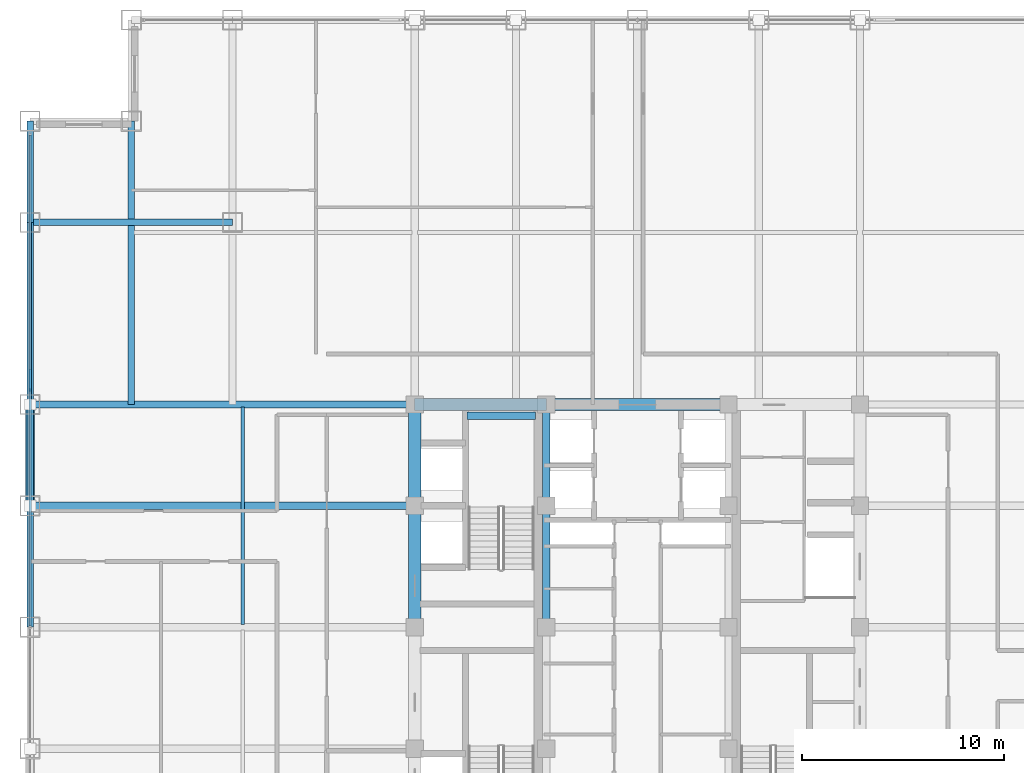
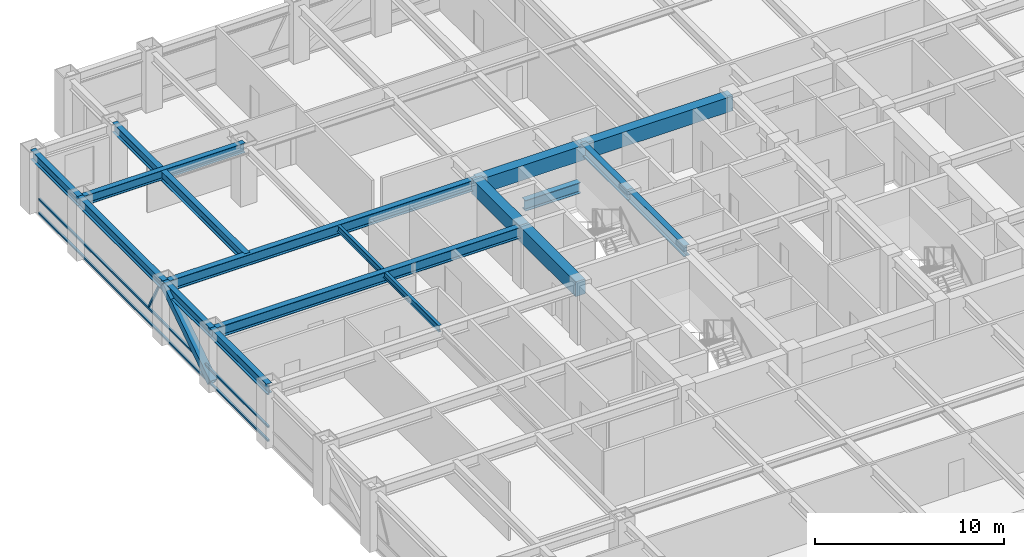
# One storey, part 11 of 24: 16 beams, 5 members, 1 element without a shape of its own.
"""IFC4 building model written with IfcOpenShell, lengths in metres."""

from ifc_helpers import new_model, si_unit, direction, frame, origin, origin_2d, place, context, subcontext, project, spatial, rectangle, hollow_rectangle, i_section, extrude, source, transform, mapped, material, material_profile, profile_set, type_object, element, aggregate, save


model = new_model("IFC4")

# Units and contexts
model_context = context("Model", 3, precision=1e-05, world=origin(), true_north=direction((0.0, 1.0)))
body_context = subcontext(model_context, "Body", "Model", "MODEL_VIEW")
ifc_project = project(units=[si_unit("LENGTHUNIT", "METRE"), si_unit("AREAUNIT", "SQUARE_METRE"), si_unit("VOLUMEUNIT", "CUBIC_METRE"), si_unit("PLANEANGLEUNIT", "RADIAN"), si_unit("MASSUNIT", "GRAM", prefix="KILO")], contexts=[model_context])

# Site, building, storey
site_placement = place(None, origin())
site = spatial("IfcSite", under=ifc_project, at=site_placement, CompositionType="ELEMENT")
building_placement = place(site_placement, origin())
building = spatial("IfcBuilding", under=site, at=building_placement, Name="Khorayat Bourse Tower", CompositionType="ELEMENT")
storey_placement = place(building_placement, frame((0.0, 0.0, 259.10009765625)))
storey = spatial("IfcBuildingStorey", under=building, at=storey_placement, Name="L61", CompositionType="ELEMENT", Elevation=259.10009765625)

# Beams
ifc_material_1 = material(Name="Steel ASTM A992 Grade 50", Category="steel")
ifc_material_profile_1 = material_profile(ifc_material_1, i_section(OverallWidth=0.35498046875, OverallDepth=0.695068359375, WebThickness=0.015380859375, FlangeThickness=0.02490234375, FilletRadius=0.01806640625, at=origin_2d()), Name="W690X217")
ifc_profile_set_1 = profile_set([ifc_material_profile_1], Name="Steel ASTM A992 Grade 50")
beam_type_1 = type_object("IfcBeamType", Name="BM-GIRD-690", PredefinedType="BEAM", material=ifc_profile_set_1)
shared_shape_1 = source(origin(), body_context, "Body", "SweptSolid", [
    extrude(i_section(OverallWidth=0.35498046875, OverallDepth=0.695068359375, WebThickness=0.015380859375, FlangeThickness=0.02490234375, FilletRadius=0.01806640625, at=origin_2d()), origin(), (0.0, 0.0, 1.0), 5.0),
])
beam_1_placement = place(storey_placement, frame((-4.5, 6.0, 3.432373046875), z_axis=(0.0, 1.0, 0.0), x_axis=(-1.0, 0.0, 0.0)))
element("IfcBeam", 1, at=beam_1_placement, inside=storey, type_object=beam_type_1, Name="L61 BM-GIRD-690 BM-L61-CRX-08", PredefinedType="BEAM", context=body_context, shape_type="MappedRepresentation", body=[
    mapped(shared_shape_1, transform((0.0, 0.0, 0.0), scale=1.0)),
])
shared_shape_2 = source(origin(), body_context, "Body", "SweptSolid", [
    extrude(i_section(OverallWidth=0.35498046875, OverallDepth=0.695068359375, WebThickness=0.015380859375, FlangeThickness=0.02490234375, FilletRadius=0.01806640625, at=origin_2d()), origin(), (0.0, 0.0, 1.0), 6.0),
])
beam_2_placement = place(storey_placement, frame((-4.5, 0.0, 3.432373046875), z_axis=(0.0, 1.0, 0.0), x_axis=(-1.0, 0.0, 0.0)))
element("IfcBeam", 2, at=beam_2_placement, inside=storey, type_object=beam_type_1, Name="L61 BM-GIRD-690 BM-L61-CRX-07", PredefinedType="BEAM", context=body_context, shape_type="MappedRepresentation", body=[
    mapped(shared_shape_2, transform((0.0, 0.0, 0.0), scale=1.0)),
])
shared_shape_3 = source(origin(), body_context, "Body", "SweptSolid", [
    extrude(i_section(OverallWidth=0.35498046875, OverallDepth=0.695068359375, WebThickness=0.015380859375, FlangeThickness=0.02490234375, FilletRadius=0.01806640625, at=origin_2d()), origin(), (0.0, 0.0, 1.0), 3.39990234375),
])
beam_3_placement = place(storey_placement, frame((-8.419921875, 10.449951171875, 1.452392578125), z_axis=(1.0, 0.0, 0.0), x_axis=(0.0, 1.0, 0.0)))
element("IfcBeam", 3, at=beam_3_placement, inside=storey, type_object=beam_type_1, Name="L61 BM-GIRD-690 BM-L61-ST2L", PredefinedType="BEAM", context=body_context, shape_type="MappedRepresentation", body=[
    mapped(shared_shape_3, transform((0.0, 0.0, 0.0), scale=1.0)),
])
ifc_material_profile_2 = material_profile(ifc_material_1, i_section(OverallWidth=0.324951171875, OverallDepth=0.615966796875, WebThickness=0.013916015625, FlangeThickness=0.021484375, FilletRadius=0.01611328125, at=origin_2d()), Name="W610X174")
ifc_profile_set_2 = profile_set([ifc_material_profile_2], Name="Steel ASTM A992 Grade 50")
beam_type_2 = type_object("IfcBeamType", Name="BM-GIRD-610", PredefinedType="BEAM", material=ifc_profile_set_2)
shared_shape_4 = source(origin(), body_context, "Body", "SweptSolid", [
    extrude(i_section(OverallWidth=0.324951171875, OverallDepth=0.615966796875, WebThickness=0.013916015625, FlangeThickness=0.021484375, FilletRadius=0.01611328125, at=origin_2d()), origin(), (0.0, 0.0, 1.0), 10.0),
])
beam_4_placement = place(storey_placement, frame((-30.0, 20.0, 3.471923828125), z_axis=(1.0, 0.0, 0.0), x_axis=(0.0, 1.0, 0.0)))
element("IfcBeam", 4, at=beam_4_placement, inside=storey, type_object=beam_type_2, Name="L61 BM-GIRD-610 BM-L61-CNRX-095", PredefinedType="BEAM", context=body_context, shape_type="MappedRepresentation", body=[
    mapped(shared_shape_4, transform((0.0, 0.0, 0.0), scale=1.0)),
])
ifc_material_profile_3 = material_profile(ifc_material_1, i_section(OverallWidth=0.180908203125, OverallDepth=0.4169921875, WebThickness=0.010986328125, FlangeThickness=0.018310546875, FilletRadius=0.011962890625, at=origin_2d()), Name="W410X85")
ifc_profile_set_3 = profile_set([ifc_material_profile_3], Name="Steel ASTM A992 Grade 50")
beam_type_3 = type_object("IfcBeamType", Name="BM-JOIST-410", PredefinedType="JOIST", material=ifc_profile_set_3)
shared_shape_5 = source(origin(), body_context, "Body", "SweptSolid", [
    extrude(i_section(OverallWidth=0.180908203125, OverallDepth=0.4169921875, WebThickness=0.010986328125, FlangeThickness=0.018310546875, FilletRadius=0.011962890625, at=origin_2d()), origin(), (0.0, 0.0, 1.0), 10.740234375),
])
beam_5_placement = place(storey_placement, frame((-19.5, 0.1298828125, 3.5712890625), z_axis=(0.0, 1.0, 0.0), x_axis=(-1.0, 0.0, 0.0)))
element("IfcBeam", 5, at=beam_5_placement, inside=storey, type_object=beam_type_3, Name="L61 BM-JOIST-410 BM-L61-JSTY-103", PredefinedType="JOIST", context=body_context, shape_type="MappedRepresentation", body=[
    mapped(shared_shape_5, transform((0.0, 0.0, 0.0), scale=1.0)),
])
ifc_material_profile_4 = material_profile(ifc_material_1, i_section(OverallWidth=0.324951171875, OverallDepth=0.615966796875, WebThickness=0.013916015625, FlangeThickness=0.021484375, FilletRadius=0.01611328125, at=origin_2d()), Name="W610X174")
ifc_profile_set_4 = profile_set([ifc_material_profile_4], Name="Steel ASTM A992 Grade 50")
beam_type_4 = type_object("IfcBeamType", Name="BM-SPAN-610", PredefinedType="SPANDREL", material=ifc_profile_set_4)
shared_shape_6 = source(origin(), body_context, "Body", "SweptSolid", [
    extrude(i_section(OverallWidth=0.324951171875, OverallDepth=0.615966796875, WebThickness=0.013916015625, FlangeThickness=0.021484375, FilletRadius=0.01611328125, at=origin_2d()), origin(), (0.0, 0.0, 1.0), 9.0),
])
beam_6_placement = place(storey_placement, frame((-30.0, 11.0, 3.471923828125), z_axis=(0.0, 1.0, 0.0), x_axis=(-1.0, 0.0, 0.0)))
element("IfcBeam", 6, at=beam_6_placement, inside=storey, type_object=beam_type_4, Name="L61 BM-SPAN-610 BM-L61-SPN-055", PredefinedType="SPANDREL", context=body_context, shape_type="MappedRepresentation", body=[
    mapped(shared_shape_6, transform((0.0, 0.0, 0.0), scale=1.0)),
])
shared_shape_7 = source(origin(), body_context, "Body", "SweptSolid", [
    extrude(i_section(OverallWidth=0.324951171875, OverallDepth=0.615966796875, WebThickness=0.013916015625, FlangeThickness=0.021484375, FilletRadius=0.01611328125, at=origin_2d()), origin(), (0.0, 0.0, 1.0), 5.0),
])
for number, where, z_axis, x_axis, name in (
    (7, (-30.0, 20.0, 3.471923828125), (0.0, 1.0, 0.0), (-1.0, 0.0, 0.0), "L61 BM-SPAN-610 BM-L61-SPN-054"),
    (8, (-30.0, 6.0, 3.471923828125), (0.0, 1.0, 0.0), (-1.0, 0.0, 0.0), "L61 BM-SPAN-610 BM-L61-SPN-056"),
):
    element("IfcBeam", number, at=place(storey_placement, frame(where, z_axis=z_axis, x_axis=x_axis)), inside=storey, type_object=beam_type_4, Name=name, PredefinedType="SPANDREL", context=body_context, shape_type="MappedRepresentation", body=[
        mapped(shared_shape_7, transform((0.0, 0.0, 0.0), scale=1.0)),
    ])
shared_shape_8 = source(origin(), body_context, "Body", "SweptSolid", [
    extrude(i_section(OverallWidth=0.324951171875, OverallDepth=0.615966796875, WebThickness=0.013916015625, FlangeThickness=0.021484375, FilletRadius=0.01611328125, at=origin_2d()), origin(), (0.0, 0.0, 1.0), 6.0),
])
beam_7_placement = place(storey_placement, frame((-30.0, 0.0, 3.471923828125), z_axis=(0.0, 1.0, 0.0), x_axis=(-1.0, 0.0, 0.0)))
element("IfcBeam", 9, at=beam_7_placement, inside=storey, type_object=beam_type_4, Name="L61 BM-SPAN-610 BM-L61-SPN-057", PredefinedType="SPANDREL", context=body_context, shape_type="MappedRepresentation", body=[
    mapped(shared_shape_8, transform((0.0, 0.0, 0.0), scale=1.0)),
])
ifc_material_2 = material(Name="Concrete C60/75", Category="concrete")
ifc_material_profile_5 = material_profile(ifc_material_2, rectangle(XDim=0.60009765625, YDim=0.949951171875, at=origin_2d()), Name="RC 600x950")
ifc_profile_set_5 = profile_set([ifc_material_profile_5], Name="Concrete C60/75")
beam_type_5 = type_object("IfcBeamType", Name="BM-COUP-950", PredefinedType="BEAM", material=ifc_profile_set_5)
shared_shape_9 = source(origin(), body_context, "Body", "SweptSolid", [
    extrude(rectangle(XDim=0.60009765625, YDim=0.949951171875, at=origin_2d()), origin(), (0.0, 0.0, 1.0), 5.0),
])
beam_8_placement = place(storey_placement, frame((-11.0, 6.0, 3.304931640625), z_axis=(0.0, 1.0, 0.0), x_axis=(-1.0, 0.0, 0.0)))
element("IfcBeam", 10, at=beam_8_placement, inside=storey, type_object=beam_type_5, Name="L61 BM-COUP-950 BM-L61-CRX-04", PredefinedType="BEAM", context=body_context, shape_type="MappedRepresentation", body=[
    mapped(shared_shape_9, transform((0.0, 0.0, 0.0), scale=1.0)),
])
shared_shape_10 = source(origin(), body_context, "Body", "SweptSolid", [
    extrude(rectangle(XDim=0.60009765625, YDim=0.949951171875, at=origin_2d()), origin(), (0.0, 0.0, 1.0), 6.0),
])
beam_9_placement = place(storey_placement, frame((-11.0, 0.0, 3.304931640625), z_axis=(0.0, 1.0, 0.0), x_axis=(-1.0, 0.0, 0.0)))
element("IfcBeam", 11, at=beam_9_placement, inside=storey, type_object=beam_type_5, Name="L61 BM-COUP-950 BM-L61-CRX-03", PredefinedType="BEAM", context=body_context, shape_type="MappedRepresentation", body=[
    mapped(shared_shape_10, transform((0.0, 0.0, 0.0), scale=1.0)),
])
shared_shape_11 = source(origin(), body_context, "Body", "SweptSolid", [
    extrude(rectangle(XDim=0.60009765625, YDim=0.949951171875, at=origin_2d()), origin(), (0.0, 0.0, 1.0), 6.5),
])
beam_10_placement = place(storey_placement, frame((-11.0, 11.0, 3.304931640625), z_axis=(1.0, 0.0, 0.0), x_axis=(0.0, 1.0, 0.0)))
element("IfcBeam", 12, at=beam_10_placement, inside=storey, type_object=beam_type_5, Name="L61 BM-COUP-950 BM-L61-CRY-20", PredefinedType="BEAM", context=body_context, shape_type="MappedRepresentation", body=[
    mapped(shared_shape_11, transform((0.0, 0.0, 0.0), scale=1.0)),
])
shared_shape_12 = source(origin(), body_context, "Body", "SweptSolid", [
    extrude(rectangle(XDim=0.60009765625, YDim=0.949951171875, at=origin_2d()), origin(), (0.0, 0.0, 1.0), 9.0),
])
beam_11_placement = place(storey_placement, frame((-4.5, 11.0, 3.304931640625), z_axis=(1.0, 0.0, 0.0), x_axis=(0.0, 1.0, 0.0)))
element("IfcBeam", 13, at=beam_11_placement, inside=storey, type_object=beam_type_5, Name="L61 BM-COUP-950 BM-L61-CRY-21", PredefinedType="BEAM", context=body_context, shape_type="MappedRepresentation", body=[
    mapped(shared_shape_12, transform((0.0, 0.0, 0.0), scale=1.0)),
])
shared_shape_13 = source(origin(), body_context, "Body", "SweptSolid", [
    extrude(i_section(OverallWidth=0.35498046875, OverallDepth=0.695068359375, WebThickness=0.015380859375, FlangeThickness=0.02490234375, FilletRadius=0.01806640625, at=origin_2d()), origin(), (0.0, 0.0, 1.0), 19.0),
])
for number, where, z_axis, x_axis, name in (
    (14, (-30.0, 6.0, 3.432373046875), (1.0, 0.0, 0.0), (0.0, 1.0, 0.0), "L61 BM-GIRD-690 BM-L61-RADX-081"),
    (15, (-30.0, 11.0, 3.432373046875), (1.0, 0.0, 0.0), (0.0, 1.0, 0.0), "L61 BM-GIRD-690 BM-L61-RADX-083"),
):
    element("IfcBeam", number, at=place(storey_placement, frame(where, z_axis=z_axis, x_axis=x_axis)), inside=storey, type_object=beam_type_1, Name=name, PredefinedType="BEAM", context=body_context, shape_type="MappedRepresentation", body=[
        mapped(shared_shape_13, transform((0.0, 0.0, 0.0), scale=1.0)),
    ])
shared_shape_14 = source(origin(), body_context, "Body", "SweptSolid", [
    extrude(i_section(OverallWidth=0.324951171875, OverallDepth=0.615966796875, WebThickness=0.013916015625, FlangeThickness=0.021484375, FilletRadius=0.01611328125, at=origin_2d()), origin(), (0.0, 0.0, 1.0), 14.0),
])
beam_12_placement = place(storey_placement, frame((-25.0, 11.0, 3.471923828125), z_axis=(0.0, 1.0, 0.0), x_axis=(-1.0, 0.0, 0.0)))
element("IfcBeam", 16, at=beam_12_placement, inside=storey, type_object=beam_type_2, Name="L61 BM-GIRD-610 BM-L61-CNRY-089", PredefinedType="BEAM", context=body_context, shape_type="MappedRepresentation", body=[
    mapped(shared_shape_14, transform((0.0, 0.0, 0.0), scale=1.0)),
])

# Member
ifc_material_3 = material(Name="Steel EN 10025-4 S460M", Category="steel")
ifc_material_profile_6 = material_profile(ifc_material_3, hollow_rectangle(XDim=0.449951171875, YDim=0.449951171875, WallThickness=0.02490234375, at=origin_2d()), Name="HSS 450x450x25")
ifc_profile_set_6 = profile_set([ifc_material_profile_6], Name="Steel EN 10025-4 S460M")
member_type_1 = type_object("IfcMemberType", Name="MBR-TUBE-450", PredefinedType="BRACE", material=ifc_profile_set_6)
shared_shape_15 = source(origin(), body_context, "Body", "SweptSolid", [
    extrude(hollow_rectangle(XDim=0.449951171875, YDim=0.449951171875, WallThickness=0.02490234375, at=origin_2d()), origin(), (0.0, 0.0, 1.0), 5.979736328125),
])
member_1_placement = place(storey_placement, frame((-30.0, 6.0, 0.25), z_axis=(0.0, 0.836160261256, 0.548485202623), x_axis=(-1.0, 0.0, 0.0)))
element("IfcMember", 17, at=member_1_placement, inside=storey, type_object=member_type_1, Name="L61 Perimeter Tube Brace 06", PredefinedType="BRACE", context=body_context, shape_type="MappedRepresentation", body=[
    mapped(shared_shape_15, transform((0.0, 0.0, 0.0), scale=1.0)),
])

# Curtain wall, members
ifc_material_4 = material(Name="Aluminium EN AW-6063 T6", Category="aluminium")
curtain_wall_type = type_object("IfcCurtainWallType", Name="CW-SYS-03", PredefinedType="NOTDEFINED", material=ifc_material_4)
curtain_wall_placement = place(storey_placement, origin())
curtain_wall = element("IfcCurtainWall", 18, at=curtain_wall_placement, inside=storey, type_object=curtain_wall_type, Name="L61 Curtain Wall CW-L61-W1", PredefinedType="NOTDEFINED")
ifc_material_profile_7 = material_profile(ifc_material_4, hollow_rectangle(XDim=0.1201171875, YDim=0.1201171875, WallThickness=0.0048828125, at=origin_2d()), Name="ALU 120x120x5")
ifc_profile_set_7 = profile_set([ifc_material_profile_7], Name="Aluminium EN AW-6063 T6")
member_type_2 = type_object("IfcMemberType", Name="CWM-DIAG-120", PredefinedType="MULLION", material=ifc_profile_set_7)
shared_shape_16 = source(origin(), body_context, "Body", "SweptSolid", [
    extrude(hollow_rectangle(XDim=0.1201171875, YDim=0.1201171875, WallThickness=0.0048828125, at=origin_2d()), origin(), (0.0, 0.0, 1.0), 2.079345703125),
])
member_2_placement = place(storey_placement, frame((-30.0, 12.67919921875, 1.08984375), z_axis=(0.0, -0.465760949701, 0.884910581773), x_axis=(1.0, 0.0, 0.0)))
member_2 = element("IfcMember", 19, at=member_2_placement, type_object=member_type_2, Name="CW-L61-W1 Faceted Diagonal Mullion 2", PredefinedType="MULLION", context=body_context, shape_type="MappedRepresentation", body=[
    mapped(shared_shape_16, transform((0.0, 0.0, 0.0), scale=1.0)),
])
ifc_material_profile_8 = material_profile(ifc_material_4, hollow_rectangle(XDim=0.1201171875, YDim=0.1201171875, WallThickness=0.0048828125, at=origin_2d()), Name="ALU 120x120x5")
ifc_profile_set_8 = profile_set([ifc_material_profile_8], Name="Aluminium EN AW-6063 T6")
member_type_3 = type_object("IfcMemberType", Name="CWT-HORZ-120", PredefinedType="USERDEFINED", material=ifc_profile_set_8)
shared_shape_17 = source(origin(), body_context, "Body", "SweptSolid", [
    extrude(hollow_rectangle(XDim=0.1201171875, YDim=0.1201171875, WallThickness=0.0048828125, at=origin_2d()), origin(), (0.0, 0.0, 1.0), 24.27001953125),
])
member_3_placement = place(storey_placement, frame((-30.0, 0.06005859375, 0.059814453125), z_axis=(0.0, 1.0, 0.0), x_axis=(-1.0, 0.0, 0.0)))
member_3 = element("IfcMember", 20, at=member_3_placement, type_object=member_type_3, Name="CW-L61-W1 Horizontal Transom 2-1", ObjectType="TRANSOM", PredefinedType="USERDEFINED", context=body_context, shape_type="MappedRepresentation", body=[
    mapped(shared_shape_17, transform((0.0, 0.0, 0.0), scale=1.0)),
])
member_4_placement = place(storey_placement, frame((-30.0, 0.06005859375, 0.949951171875), z_axis=(0.0, 1.0, 0.0), x_axis=(-1.0, 0.0, 0.0)))
member_4 = element("IfcMember", 21, at=member_4_placement, type_object=member_type_3, Name="CW-L61-W1 Horizontal Transom 2-2", ObjectType="TRANSOM", PredefinedType="USERDEFINED", context=body_context, shape_type="MappedRepresentation", body=[
    mapped(shared_shape_17, transform((0.0, 0.0, 0.0), scale=1.0)),
])
member_5_placement = place(storey_placement, frame((-30.0, 0.06005859375, 3.06982421875), z_axis=(0.0, 1.0, 0.0), x_axis=(-1.0, 0.0, 0.0)))
member_5 = element("IfcMember", 22, at=member_5_placement, type_object=member_type_3, Name="CW-L61-W1 Horizontal Transom 2-3", ObjectType="TRANSOM", PredefinedType="USERDEFINED", context=body_context, shape_type="MappedRepresentation", body=[
    mapped(shared_shape_17, transform((0.0, 0.0, 0.0), scale=1.0)),
])
aggregate(curtain_wall, [member_3, member_4, member_5, member_2])

save(model, "model.ifc")
